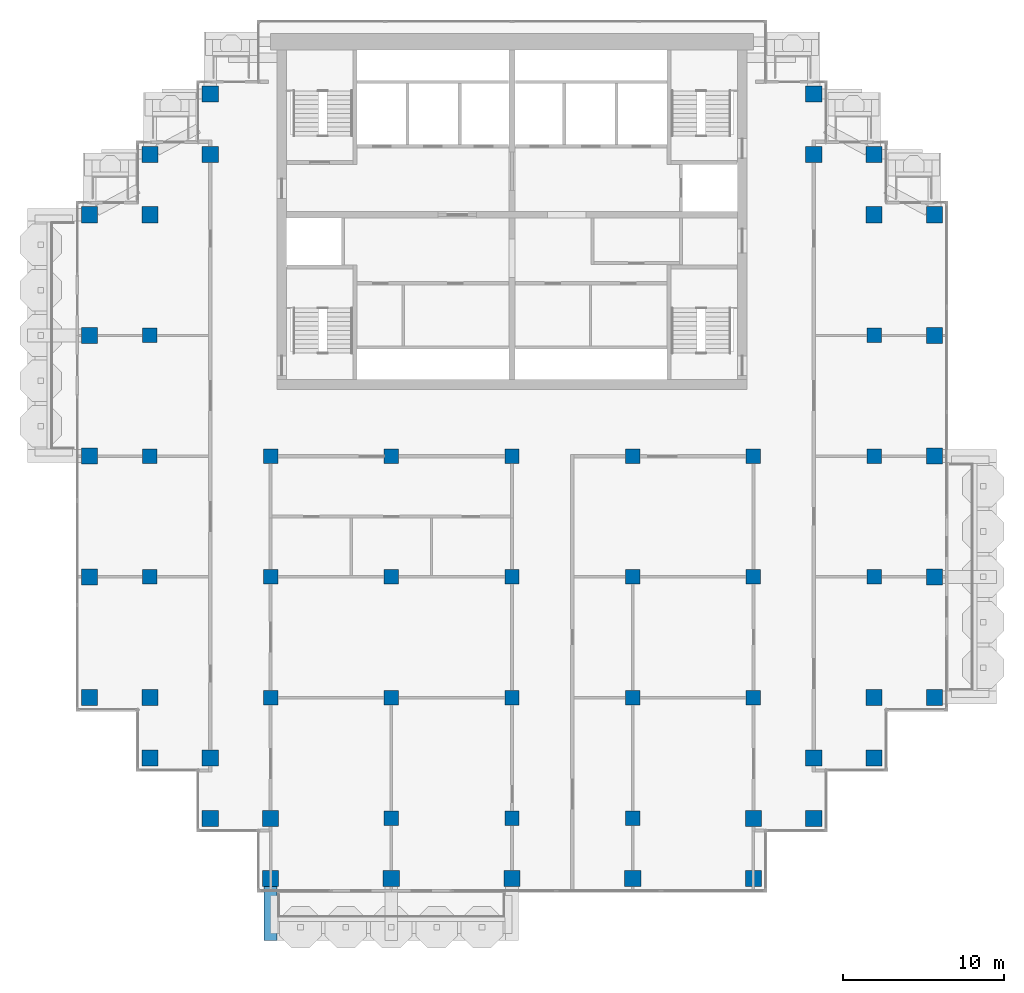
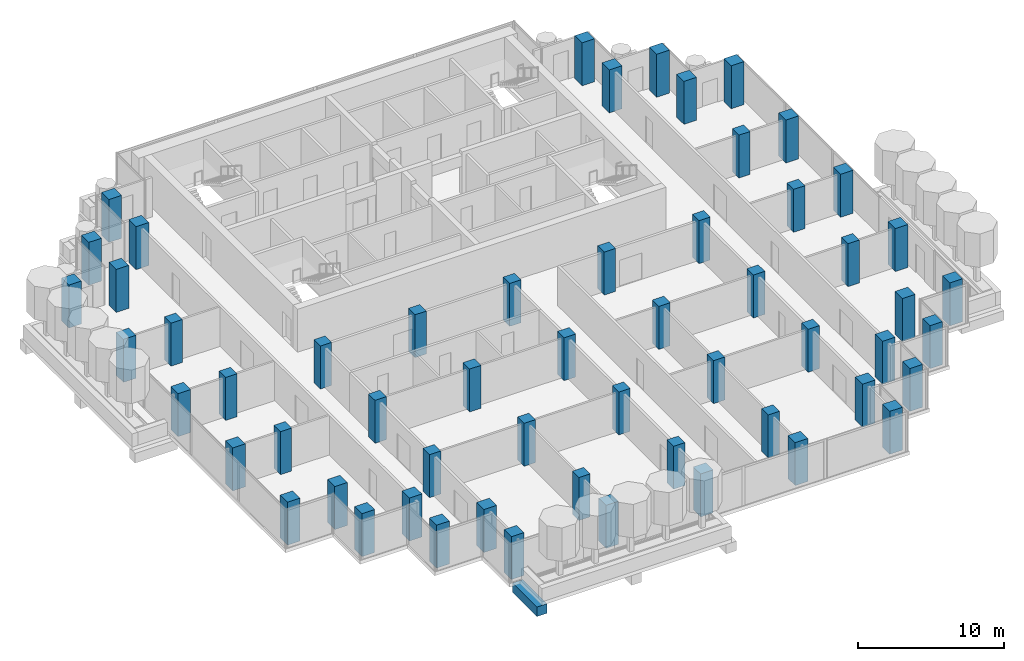
# One storey, part 1 of 18: 57 columns, 1 beam.
"""IFC4 building model written with IfcOpenShell, lengths in metres."""

from ifc_helpers import new_model, si_unit, direction, frame, origin, origin_2d, place, context, subcontext, project, spatial, rectangle, extrude, material, material_profile, profile_set, type_object, element, save


model = new_model("IFC4")

# Units and contexts
model_context = context("Model", 3, precision=1e-05, world=origin(), true_north=direction((0.0, 1.0)))
body_context = subcontext(model_context, "Body", "Model", "MODEL_VIEW")
ifc_project = project(units=[si_unit("LENGTHUNIT", "METRE"), si_unit("AREAUNIT", "SQUARE_METRE"), si_unit("VOLUMEUNIT", "CUBIC_METRE"), si_unit("PLANEANGLEUNIT", "RADIAN"), si_unit("MASSUNIT", "GRAM", prefix="KILO")], contexts=[model_context])

# Site, building, storey
site_placement = place(None, origin())
site = spatial("IfcSite", under=ifc_project, at=site_placement, CompositionType="ELEMENT")
building_placement = place(site_placement, origin())
building = spatial("IfcBuilding", under=site, at=building_placement, Name="Pilkhan Gate Tower", CompositionType="ELEMENT")
storey_placement = place(building_placement, frame((0.0, 0.0, 192.300048828125)))
storey = spatial("IfcBuildingStorey", under=building, at=storey_placement, Name="L49", CompositionType="ELEMENT", Elevation=192.300048828125)

# Columns
ifc_material = material(Name="Concrete C50/60", Category="concrete")
ifc_material_profile_1 = material_profile(ifc_material, rectangle(XDim=1.0, YDim=1.0, at=origin_2d()), Name="RC 1000x1000")
ifc_profile_set_1 = profile_set([ifc_material_profile_1], Name="Concrete C50/60")
column_type_1 = type_object("IfcColumnType", Name="Column C100 RC 1000x1000 C50/60", PredefinedType="COLUMN", material=ifc_profile_set_1)
for number, where, z_axis, x_axis, name in (
    (1, (48.75, 52.5, 0.0), (0.0, 0.0, 1.0), (1.0, 0.0, 0.0), "Column 4/D L49"),
    (2, (48.75, 60.0, 0.0), (0.0, 0.0, 1.0), (1.0, 0.0, 0.0), "Column 4/F L49"),
    (3, (48.75, 67.5, 0.0), (0.0, 0.0, 1.0), (1.0, 0.0, 0.0), "Column 4/H L49"),
    (4, (48.75, 75.0, 0.0), (0.0, 0.0, 1.0), (1.0, 0.0, 0.0), "Column 4/K L49"),
    (5, (48.75, 82.5, 0.0), (0.0, 0.0, 1.0), (1.0, 0.0, 0.0), "Column 4/M L49"),
    (6, (52.5, 48.75, 0.0), (0.0, 0.0, 1.0), (1.0, 0.0, 0.0), "Column 5/C L49"),
    (7, (52.5, 52.5, 0.0), (0.0, 0.0, 1.0), (1.0, 0.0, 0.0), "Column 5/D L49"),
    (8, (52.5, 82.5, 0.0), (0.0, 0.0, 1.0), (1.0, 0.0, 0.0), "Column 5/M L49"),
    (9, (52.5, 86.25, 0.0), (0.0, 0.0, 1.0), (1.0, 0.0, 0.0), "Column 5/N L49"),
    (10, (56.25, 45.0, 0.0), (0.0, 0.0, 1.0), (1.0, 0.0, 0.0), "Column 6/B L49"),
    (11, (56.25, 48.75, 0.0), (0.0, 0.0, 1.0), (1.0, 0.0, 0.0), "Column 6/C L49"),
    (12, (56.25, 86.25, 0.0), (0.0, 0.0, 1.0), (1.0, 0.0, 0.0), "Column 6/N L49"),
    (13, (56.25, 90.0, 0.0), (0.0, 0.0, 1.0), (1.0, 0.0, 0.0), "Column 6/P L49"),
    (14, (60.0, 41.25, 0.0), (0.0, 0.0, 1.0), (1.0, 0.0, 0.0), "Column 7/A L49"),
    (15, (60.0, 45.0, 0.0), (0.0, 0.0, 1.0), (1.0, 0.0, 0.0), "Column 7/B L49"),
    (16, (67.5, 41.25, 0.0), (0.0, 0.0, 1.0), (1.0, 0.0, 0.0), "Column 9/A L49"),
    (17, (75.0, 41.25, 0.0), (0.0, 0.0, 1.0), (1.0, 0.0, 0.0), "Column 11/A L49"),
    (18, (82.5, 41.25, 0.0), (0.0, 0.0, 1.0), (1.0, 0.0, 0.0), "Column 13/A L49"),
    (19, (90.0, 41.25, 0.0), (0.0, 0.0, 1.0), (1.0, 0.0, 0.0), "Column 15/A L49"),
    (20, (90.0, 45.0, 0.0), (0.0, 0.0, 1.0), (1.0, 0.0, 0.0), "Column 15/B L49"),
    (21, (93.75, 45.0, 0.0), (0.0, 0.0, 1.0), (1.0, 0.0, 0.0), "Column 16/B L49"),
    (22, (93.75, 48.75, 0.0), (0.0, 0.0, 1.0), (1.0, 0.0, 0.0), "Column 16/C L49"),
    (23, (93.75, 86.25, 0.0), (0.0, 0.0, 1.0), (1.0, 0.0, 0.0), "Column 16/N L49"),
    (24, (93.75, 90.0, 0.0), (0.0, 0.0, 1.0), (1.0, 0.0, 0.0), "Column 16/P L49"),
    (25, (97.5, 48.75, 0.0), (0.0, 0.0, 1.0), (1.0, 0.0, 0.0), "Column 17/C L49"),
    (26, (97.5, 52.5, 0.0), (0.0, 0.0, 1.0), (1.0, 0.0, 0.0), "Column 17/D L49"),
    (27, (97.5, 82.5, 0.0), (0.0, 0.0, 1.0), (1.0, 0.0, 0.0), "Column 17/M L49"),
    (28, (97.5, 86.25, 0.0), (0.0, 0.0, 1.0), (1.0, 0.0, 0.0), "Column 17/N L49"),
    (29, (101.25, 52.5, 0.0), (0.0, 0.0, 1.0), (1.0, 0.0, 0.0), "Column 18/D L49"),
    (30, (101.25, 60.0, 0.0), (0.0, 0.0, 1.0), (1.0, 0.0, 0.0), "Column 18/F L49"),
    (31, (101.25, 67.5, 0.0), (0.0, 0.0, 1.0), (1.0, 0.0, 0.0), "Column 18/H L49"),
    (32, (101.25, 75.0, 0.0), (0.0, 0.0, 1.0), (1.0, 0.0, 0.0), "Column 18/K L49"),
    (33, (101.25, 82.5, 0.0), (0.0, 0.0, 1.0), (1.0, 0.0, 0.0), "Column 18/M L49"),
):
    element("IfcColumn", number, at=place(storey_placement, frame(where, z_axis=z_axis, x_axis=x_axis)), inside=storey, type_object=column_type_1, Name=name, PredefinedType="COLUMN", context=body_context, shape_type="SweptSolid", body=[
        extrude(rectangle(XDim=1.0, YDim=1.0, at=origin_2d()), origin(), (0.0, 0.0, 1.0), 3.599853515625),
    ])
ifc_material_profile_2 = material_profile(ifc_material, rectangle(XDim=0.89990234375, YDim=0.89990234375, at=origin_2d()), Name="RC 900x900")
ifc_profile_set_2 = profile_set([ifc_material_profile_2], Name="Concrete C50/60")
column_type_2 = type_object("IfcColumnType", Name="Column C90 RC 900x900 C50/60", PredefinedType="COLUMN", material=ifc_profile_set_2)
for number, where, z_axis, x_axis, name in (
    (34, (52.5, 60.0, 0.0), (0.0, 0.0, 1.0), (1.0, 0.0, 0.0), "Column 5/F L49"),
    (35, (52.5, 67.5, 0.0), (0.0, 0.0, 1.0), (1.0, 0.0, 0.0), "Column 5/H L49"),
    (36, (52.5, 75.0, 0.0), (0.0, 0.0, 1.0), (1.0, 0.0, 0.0), "Column 5/K L49"),
    (37, (60.0, 52.5, 0.0), (0.0, 0.0, 1.0), (1.0, 0.0, 0.0), "Column 7/D L49"),
    (38, (60.0, 60.0, 0.0), (0.0, 0.0, 1.0), (1.0, 0.0, 0.0), "Column 7/F L49"),
    (39, (60.0, 67.5, 0.0), (0.0, 0.0, 1.0), (1.0, 0.0, 0.0), "Column 7/H L49"),
    (40, (67.5, 45.0, 0.0), (0.0, 0.0, 1.0), (1.0, 0.0, 0.0), "Column 9/B L49"),
    (41, (67.5, 52.5, 0.0), (0.0, 0.0, 1.0), (1.0, 0.0, 0.0), "Column 9/D L49"),
    (42, (67.5, 60.0, 0.0), (0.0, 0.0, 1.0), (1.0, 0.0, 0.0), "Column 9/F L49"),
    (43, (67.5, 67.5, 0.0), (0.0, 0.0, 1.0), (1.0, 0.0, 0.0), "Column 9/H L49"),
    (44, (75.0, 45.0, 0.0), (0.0, 0.0, 1.0), (1.0, 0.0, 0.0), "Column 11/B L49"),
    (45, (75.0, 52.5, 0.0), (0.0, 0.0, 1.0), (1.0, 0.0, 0.0), "Column 11/D L49"),
    (46, (75.0, 60.0, 0.0), (0.0, 0.0, 1.0), (1.0, 0.0, 0.0), "Column 11/F L49"),
    (47, (75.0, 67.5, 0.0), (0.0, 0.0, 1.0), (1.0, 0.0, 0.0), "Column 11/H L49"),
    (48, (82.5, 45.0, 0.0), (0.0, 0.0, 1.0), (1.0, 0.0, 0.0), "Column 13/B L49"),
    (49, (82.5, 52.5, 0.0), (0.0, 0.0, 1.0), (1.0, 0.0, 0.0), "Column 13/D L49"),
    (50, (82.5, 60.0, 0.0), (0.0, 0.0, 1.0), (1.0, 0.0, 0.0), "Column 13/F L49"),
    (51, (82.5, 67.5, 0.0), (0.0, 0.0, 1.0), (1.0, 0.0, 0.0), "Column 13/H L49"),
    (52, (90.0, 52.5, 0.0), (0.0, 0.0, 1.0), (1.0, 0.0, 0.0), "Column 15/D L49"),
    (53, (90.0, 60.0, 0.0), (0.0, 0.0, 1.0), (1.0, 0.0, 0.0), "Column 15/F L49"),
    (54, (90.0, 67.5, 0.0), (0.0, 0.0, 1.0), (1.0, 0.0, 0.0), "Column 15/H L49"),
    (55, (97.5, 60.0, 0.0), (0.0, 0.0, 1.0), (1.0, 0.0, 0.0), "Column 17/F L49"),
    (56, (97.5, 67.5, 0.0), (0.0, 0.0, 1.0), (1.0, 0.0, 0.0), "Column 17/H L49"),
    (57, (97.5, 75.0, 0.0), (0.0, 0.0, 1.0), (1.0, 0.0, 0.0), "Column 17/K L49"),
):
    element("IfcColumn", number, at=place(storey_placement, frame(where, z_axis=z_axis, x_axis=x_axis)), inside=storey, type_object=column_type_2, Name=name, PredefinedType="COLUMN", context=body_context, shape_type="SweptSolid", body=[
        extrude(rectangle(XDim=0.89990234375, YDim=0.89990234375, at=origin_2d()), origin(), (0.0, 0.0, 1.0), 3.599853515625),
    ])

# Beam
ifc_material_profile_3 = material_profile(ifc_material, rectangle(XDim=0.800048828125, YDim=0.800048828125, at=origin_2d()), Name="RC 800x800")
ifc_profile_set_3 = profile_set([ifc_material_profile_3], Name="Concrete C50/60")
beam_type = type_object("IfcBeamType", Name="Cantilever beam CB2 RC 800x800 C50/60", PredefinedType="BEAM", material=ifc_profile_set_3)
beam_placement = place(storey_placement, frame((60.0, 40.75, -0.699951171875), z_axis=(0.0, -1.0, 0.0), x_axis=(1.0, 0.0, 0.0)))
element("IfcBeam", 58, at=beam_placement, inside=storey, type_object=beam_type, Name="Balcony beam S.1 L49", PredefinedType="BEAM", context=body_context, shape_type="SweptSolid", body=[
    extrude(rectangle(XDim=0.800048828125, YDim=0.800048828125, at=origin_2d()), origin(), (0.0, 0.0, 1.0), 3.35009765625),
])

save(model, "model.ifc")
